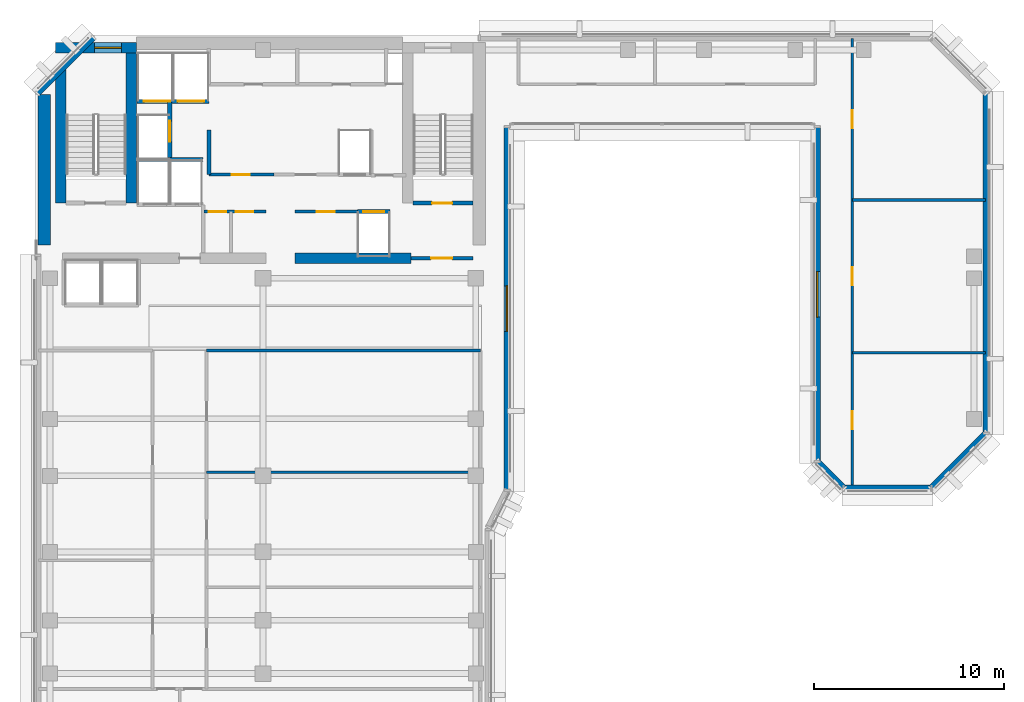
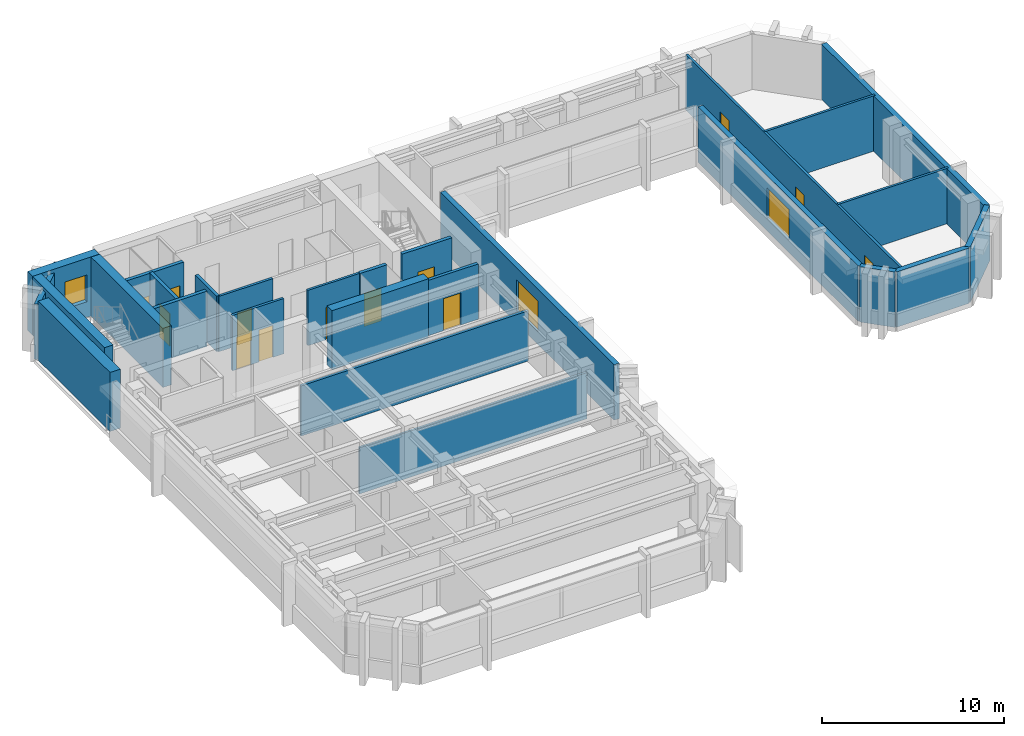
# One storey, part 6 of 11: 27 walls, 13 doors, 3 windows, 16 openings.
"""IFC4 building model written with IfcOpenShell, lengths in metres."""

from ifc_helpers import new_model, si_unit, direction, frame, frame_2d, origin, place, context, subcontext, project, spatial, rectangle, extrude, material, layer, layer_set, type_object, element, fill, save


model = new_model("IFC4")

# Units and contexts
model_context = context("Model", 3, precision=1e-05, world=origin(), true_north=direction((0.0, 1.0)))
body_context = subcontext(model_context, "Body", "Model", "MODEL_VIEW")
ifc_project = project(units=[si_unit("LENGTHUNIT", "METRE"), si_unit("AREAUNIT", "SQUARE_METRE"), si_unit("VOLUMEUNIT", "CUBIC_METRE"), si_unit("PLANEANGLEUNIT", "RADIAN"), si_unit("MASSUNIT", "GRAM", prefix="KILO")], contexts=[model_context])

# Site, building, storey
site_placement = place(None, origin())
site = spatial("IfcSite", under=ifc_project, at=site_placement, CompositionType="ELEMENT")
building_placement = place(site_placement, origin())
building = spatial("IfcBuilding", under=site, at=building_placement, Name="Kefirva Bronze Tower", CompositionType="ELEMENT")
storey_placement = place(building_placement, frame((0.0, 0.0, 239.580078125)))
storey = spatial("IfcBuildingStorey", under=building, at=storey_placement, Name="L58", CompositionType="ELEMENT", Elevation=239.580078125)

# Wall
ifc_material_1 = material(Name="Gypsum acoustic partition")
ifc_layer_1 = layer(ifc_material_1, 0.1298828125, Name="Gypsum acoustic partition")
ifc_layer_set_1 = layer_set([ifc_layer_1], Name="Gypsum acoustic partition")
wall_type_1 = type_object("IfcWallType", Name="Acoustic Office Partition 130mm", PredefinedType="PARTITIONING", material=ifc_layer_set_1)
wall_1_placement = place(storey_placement, frame((9.0400390625, 22.991943359375, 0.0), z_axis=(0.0, 0.0, 1.0), x_axis=(1.0, 0.0, 0.0)))
element("IfcWall", 1, at=wall_1_placement, inside=storey, type_object=wall_type_1, Name="L58 Partition W-L58-SED2", PredefinedType="PARTITIONING", context=body_context, shape_type="SweptSolid", body=[
    extrude(rectangle(XDim=14.409912109375, YDim=0.1298828125, at=frame_2d((7.205078125, 0.0))), origin(), (0.0, 0.0, 1.0), 3.094970703125),
])

# Wall, opening, door
ifc_layer_2 = layer(ifc_material_1, 0.14990234375, Name="Gypsum acoustic partition")
ifc_layer_set_2 = layer_set([ifc_layer_2], Name="Gypsum acoustic partition")
wall_type_2 = type_object("IfcWallType", Name="Executive Suite Partition 150mm", PredefinedType="PARTITIONING", material=ifc_layer_set_2)
wall_2_placement = place(storey_placement, frame((13.679931640625, 36.699951171875, 0.0), z_axis=(0.0, 0.0, 1.0), x_axis=(1.0, 0.0, 0.0)))
wall_2 = element("IfcWall", 2, at=wall_2_placement, inside=storey, type_object=wall_type_2, Name="L58 Partition W-L58-RECMP1", PredefinedType="PARTITIONING", context=body_context, shape_type="SweptSolid", body=[
    extrude(rectangle(XDim=3.280029296875, YDim=0.14990234375, at=frame_2d((1.64013671875, 0.0))), origin(), (0.0, 0.0, 1.0), 3.7099609375),
])
opening_1_placement = place(wall_2_placement, frame((1.14990234375, 0.0, 0.0)))
opening_1 = element("IfcOpeningElement", 3, at=opening_1_placement, cuts=wall_2, Name="Opening L58-D-RECMP1", PredefinedType="OPENING", context=body_context, shape_type="SweptSolid", body=[
    extrude(rectangle(XDim=0.949951171875, YDim=2.14990234375, at=frame_2d((0.47509765625, 1.074951171875))), frame((0.0, 0.0849609375, 0.0), z_axis=(0.0, -1.0, 0.0), x_axis=(1.0, 0.0, 0.0)), (0.0, 0.0, 1.0), 0.169921875),
])
ifc_material_2 = material(Name="Acoustic hardwood oak", Category="wood")
door_type_1 = type_object("IfcDoorType", Name="Office & Meeting Room Door 950x2150", OperationType="NOTDEFINED", PredefinedType="DOOR", material=ifc_material_2)
door_1_placement = place(opening_1_placement, origin())
door_1 = element("IfcDoor", 4, at=door_1_placement, inside=storey, type_object=door_type_1, Name="Door L58-D-RECMP1", OperationType="SINGLE_SWING_RIGHT", OverallHeight=2.14990234375, OverallWidth=0.949951171875, PredefinedType="DOOR", context=body_context, shape_type="SweptSolid", body=[
    extrude(rectangle(XDim=0.949951171875, YDim=2.14990234375, at=frame_2d((0.47509765625, 1.074951171875))), frame((0.0, 0.02490234375, 0.0), z_axis=(0.0, -1.0, 0.0), x_axis=(1.0, 0.0, 0.0)), (0.0, 0.0, 1.0), 0.050048828125),
])
fill(opening_1, door_1)

# Wall, openings, doors
wall_3_placement = place(storey_placement, frame((43.0, 22.18994140625, 0.0), z_axis=(0.0, 0.0, 1.0), x_axis=(0.0, 1.0, 0.0)))
wall_3 = element("IfcWall", 5, at=wall_3_placement, inside=storey, type_object=wall_type_2, Name="L58 Partition W-L58-PVEST", PredefinedType="PARTITIONING", context=body_context, shape_type="SweptSolid", body=[
    extrude(rectangle(XDim=23.6201171875, YDim=0.14990234375, at=frame_2d((11.81005859375, 0.0))), origin(), (0.0, 0.0, 1.0), 3.7099609375),
])
opening_2_placement = place(wall_3_placement, frame((3.068115234375, 0.0, 0.0)))
opening_2 = element("IfcOpeningElement", 6, at=opening_2_placement, cuts=wall_3, Name="Opening L58-D-EPV1", PredefinedType="OPENING", context=body_context, shape_type="SweptSolid", body=[
    extrude(rectangle(XDim=0.949951171875, YDim=2.14990234375, at=frame_2d((0.47509765625, 1.074951171875))), frame((0.0, 0.0849609375, 0.0), z_axis=(0.0, -1.0, 0.0), x_axis=(1.0, 0.0, 0.0)), (0.0, 0.0, 1.0), 0.169921875),
])
opening_3_placement = place(wall_3_placement, frame((10.62646484375, 0.0, 0.0)))
opening_3 = element("IfcOpeningElement", 7, at=opening_3_placement, cuts=wall_3, Name="Opening L58-D-EPV2", PredefinedType="OPENING", context=body_context, shape_type="SweptSolid", body=[
    extrude(rectangle(XDim=0.949951171875, YDim=2.14990234375, at=frame_2d((0.47509765625, 1.074951171875))), frame((0.0, 0.0849609375, 0.0), z_axis=(0.0, -1.0, 0.0), x_axis=(1.0, 0.0, 0.0)), (0.0, 0.0, 1.0), 0.169921875),
])
opening_4_placement = place(wall_3_placement, frame((18.893310546875, 0.0, 0.0)))
opening_4 = element("IfcOpeningElement", 8, at=opening_4_placement, cuts=wall_3, Name="Opening L58-D-EPV3", PredefinedType="OPENING", context=body_context, shape_type="SweptSolid", body=[
    extrude(rectangle(XDim=0.949951171875, YDim=2.14990234375, at=frame_2d((0.47509765625, 1.074951171875))), frame((0.0, 0.0849609375, 0.0), z_axis=(0.0, -1.0, 0.0), x_axis=(1.0, 0.0, 0.0)), (0.0, 0.0, 1.0), 0.169921875),
])
door_2_placement = place(opening_2_placement, origin())
door_2 = element("IfcDoor", 9, at=door_2_placement, inside=storey, type_object=door_type_1, Name="Door L58-D-EPV1", OperationType="SINGLE_SWING_LEFT", OverallHeight=2.14990234375, OverallWidth=0.949951171875, PredefinedType="DOOR", context=body_context, shape_type="SweptSolid", body=[
    extrude(rectangle(XDim=0.949951171875, YDim=2.14990234375, at=frame_2d((0.47509765625, 1.074951171875))), frame((0.0, 0.02490234375, 0.0), z_axis=(0.0, -1.0, 0.0), x_axis=(1.0, 0.0, 0.0)), (0.0, 0.0, 1.0), 0.050048828125),
])
fill(opening_2, door_2)
door_3_placement = place(opening_3_placement, origin())
door_3 = element("IfcDoor", 10, at=door_3_placement, inside=storey, type_object=door_type_1, Name="Door L58-D-EPV2", OperationType="SINGLE_SWING_RIGHT", OverallHeight=2.14990234375, OverallWidth=0.949951171875, PredefinedType="DOOR", context=body_context, shape_type="SweptSolid", body=[
    extrude(rectangle(XDim=0.949951171875, YDim=2.14990234375, at=frame_2d((0.47509765625, 1.074951171875))), frame((0.0, 0.02490234375, 0.0), z_axis=(0.0, -1.0, 0.0), x_axis=(1.0, 0.0, 0.0)), (0.0, 0.0, 1.0), 0.050048828125),
])
fill(opening_3, door_3)
door_4_placement = place(opening_4_placement, origin())
door_4 = element("IfcDoor", 11, at=door_4_placement, inside=storey, type_object=door_type_1, Name="Door L58-D-EPV3", OperationType="SINGLE_SWING_LEFT", OverallHeight=2.14990234375, OverallWidth=0.949951171875, PredefinedType="DOOR", context=body_context, shape_type="SweptSolid", body=[
    extrude(rectangle(XDim=0.949951171875, YDim=2.14990234375, at=frame_2d((0.47509765625, 1.074951171875))), frame((0.0, 0.02490234375, 0.0), z_axis=(0.0, -1.0, 0.0), x_axis=(1.0, 0.0, 0.0)), (0.0, 0.0, 1.0), 0.050048828125),
])
fill(opening_4, door_4)

# Walls
for number, where, z_axis, x_axis, name in (
    (12, (43.0, 29.27587890625, 0.0), (0.0, 0.0, 1.0), (1.0, 0.0, 0.0), "L58 Partition W-L58-EPVD1"),
    (13, (43.0, 37.306884765625, 0.0), (0.0, 0.0, 1.0), (1.0, 0.0, 0.0), "L58 Partition W-L58-EPVD2"),
):
    element("IfcWall", number, at=place(storey_placement, frame(where, z_axis=z_axis, x_axis=x_axis)), inside=storey, type_object=wall_type_2, Name=name, PredefinedType="PARTITIONING", context=body_context, shape_type="SweptSolid", body=[
        extrude(rectangle(XDim=7.010009765625, YDim=0.14990234375, at=frame_2d((3.5048828125, 0.0))), origin(), (0.0, 0.0, 1.0), 3.7099609375),
    ])

# Wall, opening, door
ifc_material_3 = material(Name="Gypsum fireboard shaftwall")
ifc_layer_3 = layer(ifc_material_3, 0.219970703125, Name="Gypsum fireboard shaftwall")
ifc_layer_set_3 = layer_set([ifc_layer_3], Name="Gypsum fireboard shaftwall")
wall_type_3 = type_object("IfcWallType", Name="Fire-Rated Shaft Enclosure Wall 220mm", PredefinedType="PARTITIONING", material=ifc_layer_set_3)
wall_4_placement = place(storey_placement, frame((19.89990234375, 37.14990234375, 0.0), z_axis=(0.0, 0.0, 1.0), x_axis=(1.0, 0.0, 0.0)))
wall_4 = element("IfcWall", 14, at=wall_4_placement, inside=storey, type_object=wall_type_3, Name="L58 Partition W-L58-ST2S", PredefinedType="PARTITIONING", context=body_context, shape_type="SweptSolid", body=[
    extrude(rectangle(XDim=3.150146484375, YDim=0.219970703125, at=frame_2d((1.5751953125, 0.0))), origin(), (0.0, 0.0, 1.0), 3.7099609375),
])
opening_5_placement = place(wall_4_placement, frame((2.050048828125, 0.0, 0.0), z_axis=(0.0, 0.0, 1.0), x_axis=(-1.0, 0.0, 0.0)))
opening_5 = element("IfcOpeningElement", 15, at=opening_5_placement, cuts=wall_4, Name="Opening L58-D003", PredefinedType="OPENING", context=body_context, shape_type="SweptSolid", body=[
    extrude(rectangle(XDim=1.050048828125, YDim=2.14990234375, at=frame_2d((0.52490234375, 1.074951171875))), frame((0.0, 0.1201171875, 0.0), z_axis=(0.0, -1.0, 0.0), x_axis=(1.0, 0.0, 0.0)), (0.0, 0.0, 1.0), 0.239990234375),
])
ifc_material_4 = material(Name="Painted galvanized steel", Category="steel")
door_type_2 = type_object("IfcDoorType", Name="Fire Stair Enclosure Door 1050x2150 FD90S", OperationType="NOTDEFINED", PredefinedType="DOOR", material=ifc_material_4)
door_5_placement = place(opening_5_placement, origin())
door_5 = element("IfcDoor", 16, at=door_5_placement, inside=storey, type_object=door_type_2, Name="Door L58-D003", OperationType="SINGLE_SWING_RIGHT", OverallHeight=2.14990234375, OverallWidth=1.050048828125, PredefinedType="DOOR", context=body_context, shape_type="SweptSolid", body=[
    extrude(rectangle(XDim=1.050048828125, YDim=2.14990234375, at=frame_2d((0.52490234375, 1.074951171875))), frame((0.0, 0.02490234375, 0.0), z_axis=(0.0, -1.0, 0.0), x_axis=(1.0, 0.0, 0.0)), (0.0, 0.0, 1.0), 0.050048828125),
])
fill(opening_5, door_5)

# Wall
wall_5_placement = place(storey_placement, frame((5.3798828125, 39.449951171875, 0.0), z_axis=(0.0, 0.0, 1.0), x_axis=(1.0, 0.0, 0.0)))
element("IfcWall", 17, at=wall_5_placement, inside=storey, type_object=wall_type_3, Name="L58 Partition W-L58-FFN", PredefinedType="PARTITIONING", context=body_context, shape_type="SweptSolid", body=[
    extrude(rectangle(XDim=3.460205078125, YDim=0.219970703125, at=frame_2d((1.72998046875, 0.0))), origin(), (0.0, 0.0, 1.0), 3.7099609375),
])

# Wall, openings, doors
wall_6_placement = place(storey_placement, frame((5.3798828125, 42.5, 0.0), z_axis=(0.0, 0.0, 1.0), x_axis=(1.0, 0.0, 0.0)))
wall_6 = element("IfcWall", 18, at=wall_6_placement, inside=storey, type_object=wall_type_3, Name="L58 Partition W-L58-SVS", PredefinedType="PARTITIONING", context=body_context, shape_type="SweptSolid", body=[
    extrude(rectangle(XDim=3.77001953125, YDim=0.219970703125, at=frame_2d((1.885009765625, 0.0))), origin(), (0.0, 0.0, 1.0), 3.7099609375),
])
opening_6_placement = place(wall_6_placement, frame((1.75, 0.0, 0.0), z_axis=(0.0, 0.0, 1.0), x_axis=(-1.0, 0.0, 0.0)))
opening_6 = element("IfcOpeningElement", 19, at=opening_6_placement, cuts=wall_6, Name="Opening L58-LD-SV1", PredefinedType="OPENING", context=body_context, shape_type="SweptSolid", body=[
    extrude(rectangle(XDim=1.39990234375, YDim=2.199951171875, at=frame_2d((0.699951171875, 1.10009765625))), frame((0.0, 0.1201171875, 0.0), z_axis=(0.0, -1.0, 0.0), x_axis=(1.0, 0.0, 0.0)), (0.0, 0.0, 1.0), 0.239990234375),
])
opening_7_placement = place(wall_6_placement, frame((3.52978515625, 0.0, 0.0), z_axis=(0.0, 0.0, 1.0), x_axis=(-1.0, 0.0, 0.0)))
opening_7 = element("IfcOpeningElement", 20, at=opening_7_placement, cuts=wall_6, Name="Opening L58-LD-SV2", PredefinedType="OPENING", context=body_context, shape_type="SweptSolid", body=[
    extrude(rectangle(XDim=1.39990234375, YDim=2.199951171875, at=frame_2d((0.699951171875, 1.10009765625))), frame((0.0, 0.1201171875, 0.0), z_axis=(0.0, -1.0, 0.0), x_axis=(1.0, 0.0, 0.0)), (0.0, 0.0, 1.0), 0.239990234375),
])
ifc_material_5 = material(Name="Stainless steel 316", Category="steel")
door_type_3 = type_object("IfcDoorType", Name="Goods Lift Bi-Parting Sliding Door 1400x2200", OperationType="SLIDING_TO_LEFT", PredefinedType="DOOR", material=ifc_material_5)
door_6_placement = place(opening_6_placement, origin())
door_6 = element("IfcDoor", 21, at=door_6_placement, inside=storey, type_object=door_type_3, Name="Door L58-LD-SV1", OperationType="SLIDING_TO_LEFT", OverallHeight=2.199951171875, OverallWidth=1.39990234375, PredefinedType="DOOR", context=body_context, shape_type="SweptSolid", body=[
    extrude(rectangle(XDim=1.39990234375, YDim=2.199951171875, at=frame_2d((0.699951171875, 1.10009765625))), frame((0.0, 0.02490234375, 0.0), z_axis=(0.0, -1.0, 0.0), x_axis=(1.0, 0.0, 0.0)), (0.0, 0.0, 1.0), 0.050048828125),
])
fill(opening_6, door_6)
door_7_placement = place(opening_7_placement, origin())
door_7 = element("IfcDoor", 22, at=door_7_placement, inside=storey, type_object=door_type_3, Name="Door L58-LD-SV2", OperationType="SLIDING_TO_LEFT", OverallHeight=2.199951171875, OverallWidth=1.39990234375, PredefinedType="DOOR", context=body_context, shape_type="SweptSolid", body=[
    extrude(rectangle(XDim=1.39990234375, YDim=2.199951171875, at=frame_2d((0.699951171875, 1.10009765625))), frame((0.0, 0.02490234375, 0.0), z_axis=(0.0, -1.0, 0.0), x_axis=(1.0, 0.0, 0.0)), (0.0, 0.0, 1.0), 0.050048828125),
])
fill(opening_7, door_7)

# Wall, opening, door
wall_7_placement = place(storey_placement, frame((7.10009765625, 39.52001953125, 0.0), z_axis=(0.0, 0.0, 1.0), x_axis=(0.0, 1.0, 0.0)))
wall_7 = element("IfcWall", 23, at=wall_7_placement, inside=storey, type_object=wall_type_3, Name="L58 Partition W-L58-HP3E", PredefinedType="PARTITIONING", context=body_context, shape_type="SweptSolid", body=[
    extrude(rectangle(XDim=2.929931640625, YDim=0.219970703125, at=frame_2d((1.46484375, 0.0))), origin(), (0.0, 0.0, 1.0), 3.7099609375),
])
opening_8_placement = place(wall_7_placement, frame((0.85009765625, 0.0, 0.0)))
opening_8 = element("IfcOpeningElement", 24, at=opening_8_placement, cuts=wall_7, Name="Opening L58-LD-HP3", PredefinedType="OPENING", context=body_context, shape_type="SweptSolid", body=[
    extrude(rectangle(XDim=1.10009765625, YDim=2.199951171875, at=frame_2d((0.550048828125, 1.10009765625))), frame((0.0, 0.1201171875, 0.0), z_axis=(0.0, -1.0, 0.0), x_axis=(1.0, 0.0, 0.0)), (0.0, 0.0, 1.0), 0.239990234375),
])
door_type_4 = type_object("IfcDoorType", Name="Passenger Lift Sliding Landing Door 1100x2200", OperationType="SLIDING_TO_LEFT", PredefinedType="DOOR", material=ifc_material_5)
door_8_placement = place(opening_8_placement, origin())
door_8 = element("IfcDoor", 25, at=door_8_placement, inside=storey, type_object=door_type_4, Name="Door L58-LD-HP3", OperationType="SLIDING_TO_LEFT", OverallHeight=2.199951171875, OverallWidth=1.10009765625, PredefinedType="DOOR", context=body_context, shape_type="SweptSolid", body=[
    extrude(rectangle(XDim=1.10009765625, YDim=2.199951171875, at=frame_2d((0.550048828125, 1.10009765625))), frame((0.0, 0.02490234375, 0.0), z_axis=(0.0, -1.0, 0.0), x_axis=(1.0, 0.0, 0.0)), (0.0, 0.0, 1.0), 0.050048828125),
])
fill(opening_8, door_8)

# Wall
wall_8_placement = place(storey_placement, frame((9.159912109375, 38.64990234375, 0.0), z_axis=(0.0, 0.0, 1.0), x_axis=(0.0, 1.0, 0.0)))
element("IfcWall", 26, at=wall_8_placement, inside=storey, type_object=wall_type_3, Name="L58 Partition W-L58-LP3W", PredefinedType="PARTITIONING", context=body_context, shape_type="SweptSolid", body=[
    extrude(rectangle(XDim=2.35009765625, YDim=0.199951171875, at=frame_2d((1.175048828125, 0.0))), origin(), (0.0, 0.0, 1.0), 3.7099609375),
])

# Wall, opening, door
wall_9_placement = place(storey_placement, frame((16.97998046875, 36.699951171875, 0.0), z_axis=(0.0, 0.0, 1.0), x_axis=(1.0, 0.0, 0.0)))
wall_9 = element("IfcWall", 27, at=wall_9_placement, inside=storey, type_object=wall_type_3, Name="L58 Partition W-L58-HPS", PredefinedType="PARTITIONING", context=body_context, shape_type="SweptSolid", body=[
    extrude(rectangle(XDim=1.699951171875, YDim=0.219970703125, at=frame_2d((0.85009765625, 0.0))), origin(), (0.0, 0.0, 1.0), 3.7099609375),
])
opening_9_placement = place(wall_9_placement, frame((0.300048828125, 0.0, 0.0)))
opening_9 = element("IfcOpeningElement", 28, at=opening_9_placement, cuts=wall_9, Name="Opening L58-LD-HP1", PredefinedType="OPENING", context=body_context, shape_type="SweptSolid", body=[
    extrude(rectangle(XDim=1.10009765625, YDim=2.199951171875, at=frame_2d((0.550048828125, 1.10009765625))), frame((0.0, 0.1201171875, 0.0), z_axis=(0.0, -1.0, 0.0), x_axis=(1.0, 0.0, 0.0)), (0.0, 0.0, 1.0), 0.239990234375),
])
door_9_placement = place(opening_9_placement, origin())
door_9 = element("IfcDoor", 29, at=door_9_placement, inside=storey, type_object=door_type_4, Name="Door L58-LD-HP1", OperationType="SLIDING_TO_LEFT", OverallHeight=2.199951171875, OverallWidth=1.10009765625, PredefinedType="DOOR", context=body_context, shape_type="SweptSolid", body=[
    extrude(rectangle(XDim=1.10009765625, YDim=2.199951171875, at=frame_2d((0.550048828125, 1.10009765625))), frame((0.0, 0.02490234375, 0.0), z_axis=(0.0, -1.0, 0.0), x_axis=(1.0, 0.0, 0.0)), (0.0, 0.0, 1.0), 0.050048828125),
])
fill(opening_9, door_9)

ifc_material_6 = material(Name="Gypsum fireboard barrier")
ifc_layer_4 = layer(ifc_material_6, 0.199951171875, Name="Gypsum fireboard barrier")
ifc_layer_set_4 = layer_set([ifc_layer_4], Name="Gypsum fireboard barrier")
wall_type_4 = type_object("IfcWallType", Name="Firefighting Lobby Barrier Wall 200mm", PredefinedType="PARTITIONING", material=ifc_layer_set_4)
wall_10_placement = place(storey_placement, frame((19.800048828125, 34.25, 0.0), z_axis=(0.0, 0.0, 1.0), x_axis=(1.0, 0.0, 0.0)))
wall_10 = element("IfcWall", 30, at=wall_10_placement, inside=storey, type_object=wall_type_4, Name="L58 Partition W-L58-ST2F", PredefinedType="PARTITIONING", context=body_context, shape_type="SweptSolid", body=[
    extrude(rectangle(XDim=3.25, YDim=0.199951171875, at=frame_2d((1.625, 0.0))), origin(), (0.0, 0.0, 1.0), 3.7099609375),
])
opening_10_placement = place(wall_10_placement, frame((2.150146484375, 0.0, 0.0), z_axis=(0.0, 0.0, 1.0), x_axis=(-1.0, 0.0, 0.0)))
opening_10 = element("IfcOpeningElement", 31, at=opening_10_placement, cuts=wall_10, Name="Opening L58-D004", PredefinedType="OPENING", context=body_context, shape_type="SweptSolid", body=[
    extrude(rectangle(XDim=1.10009765625, YDim=2.14990234375, at=frame_2d((0.550048828125, 1.074951171875))), frame((0.0, 0.10986328125, 0.0), z_axis=(0.0, -1.0, 0.0), x_axis=(1.0, 0.0, 0.0)), (0.0, 0.0, 1.0), 0.219970703125),
])
door_type_5 = type_object("IfcDoorType", Name="Firefighting Lobby Smoke Door 1100x2150 FD60S", OperationType="NOTDEFINED", PredefinedType="DOOR", material=ifc_material_4)
door_10_placement = place(opening_10_placement, origin())
door_10 = element("IfcDoor", 32, at=door_10_placement, inside=storey, type_object=door_type_5, Name="Door L58-D004", OperationType="SINGLE_SWING_LEFT", OverallHeight=2.14990234375, OverallWidth=1.10009765625, PredefinedType="DOOR", context=body_context, shape_type="SweptSolid", body=[
    extrude(rectangle(XDim=1.10009765625, YDim=2.14990234375, at=frame_2d((0.550048828125, 1.074951171875))), frame((0.0, 0.02490234375, 0.0), z_axis=(0.0, -1.0, 0.0), x_axis=(1.0, 0.0, 0.0)), (0.0, 0.0, 1.0), 0.050048828125),
])
fill(opening_10, door_10)

# Wall, opening, window
ifc_material_7 = material(Name="Precast concrete C40/50", Category="concrete")
ifc_layer_5 = layer(ifc_material_7, 0.320068359375, Name="Precast concrete C40/50")
ifc_layer_set_5 = layer_set([ifc_layer_5], Name="Precast concrete C40/50")
wall_type_5 = type_object("IfcWallType", Name="Precast Insulated Exterior Wall 320mm", PredefinedType="SOLIDWALL", material=ifc_layer_set_5)
wall_11_placement = place(storey_placement, frame((24.840087890625, 22.054931640625, 0.0), z_axis=(0.0, 0.0, 1.0), x_axis=(0.0, 1.0, 0.0)))
wall_11 = element("IfcWall", 33, at=wall_11_placement, inside=storey, type_object=wall_type_5, Name="L58 Exterior Facade Wall 4", PredefinedType="SOLIDWALL", context=body_context, shape_type="SweptSolid", body=[
    extrude(rectangle(XDim=19.090087890625, YDim=0.320068359375, at=frame_2d((9.544921875, 0.0))), origin(), (0.0, 0.0, 1.0), 3.7099609375),
])
opening_11_placement = place(wall_11_placement, frame((8.344970703125, 0.0, 0.85009765625)))
opening_11 = element("IfcOpeningElement", 34, at=opening_11_placement, cuts=wall_11, Name="Opening WN-01", PredefinedType="OPENING", context=body_context, shape_type="SweptSolid", body=[
    extrude(rectangle(XDim=2.39990234375, YDim=2.050048828125, at=frame_2d((1.199951171875, 1.02490234375))), frame((0.0, 0.169921875, 0.0), z_axis=(0.0, -1.0, 0.0), x_axis=(1.0, 0.0, 0.0)), (0.0, 0.0, 1.0), 0.340087890625),
])
ifc_material_8 = material(Name="Laminated low-E double glazing", Category="glass")
window_type_1 = type_object("IfcWindowType", Name="Streamline Ribbon Window 2400x2050", PartitioningType="SINGLE_PANEL", PredefinedType="WINDOW", material=ifc_material_8)
window_1_placement = place(opening_11_placement, origin())
window_1 = element("IfcWindow", 35, at=window_1_placement, inside=storey, type_object=window_type_1, Name="L58 Ribbon Window 4", OverallHeight=2.050048828125, OverallWidth=2.39990234375, PartitioningType="SINGLE_PANEL", PredefinedType="WINDOW", context=body_context, shape_type="SweptSolid", body=[
    extrude(rectangle(XDim=2.39990234375, YDim=2.050048828125, at=frame_2d((1.199951171875, 1.02490234375))), frame((0.0, 0.030029296875, 0.0), z_axis=(0.0, -1.0, 0.0), x_axis=(1.0, 0.0, 0.0)), (0.0, 0.0, 1.0), 0.06005859375),
])
fill(opening_11, window_1)

wall_12_placement = place(storey_placement, frame((41.159912109375, 41.14501953125, 0.0), z_axis=(0.0, 0.0, 1.0), x_axis=(0.0, -1.0, 0.0)))
wall_12 = element("IfcWall", 36, at=wall_12_placement, inside=storey, type_object=wall_type_5, Name="L58 Exterior Facade Wall 5", PredefinedType="SOLIDWALL", context=body_context, shape_type="SweptSolid", body=[
    extrude(rectangle(XDim=17.590087890625, YDim=0.320068359375, at=frame_2d((8.794921875, 0.0))), origin(), (0.0, 0.0, 1.0), 3.7099609375),
])
opening_12_placement = place(wall_12_placement, frame((7.594970703125, 0.0, 0.85009765625)))
opening_12 = element("IfcOpeningElement", 37, at=opening_12_placement, cuts=wall_12, Name="Opening WN-01", PredefinedType="OPENING", context=body_context, shape_type="SweptSolid", body=[
    extrude(rectangle(XDim=2.39990234375, YDim=2.050048828125, at=frame_2d((1.199951171875, 1.02490234375))), frame((0.0, 0.169921875, 0.0), z_axis=(0.0, -1.0, 0.0), x_axis=(1.0, 0.0, 0.0)), (0.0, 0.0, 1.0), 0.340087890625),
])
window_2_placement = place(opening_12_placement, origin())
window_2 = element("IfcWindow", 38, at=window_2_placement, inside=storey, type_object=window_type_1, Name="L58 Ribbon Window 5", OverallHeight=2.050048828125, OverallWidth=2.39990234375, PartitioningType="SINGLE_PANEL", PredefinedType="WINDOW", context=body_context, shape_type="SweptSolid", body=[
    extrude(rectangle(XDim=2.39990234375, YDim=2.050048828125, at=frame_2d((1.199951171875, 1.02490234375))), frame((0.0, 0.030029296875, 0.0), z_axis=(0.0, -1.0, 0.0), x_axis=(1.0, 0.0, 0.0)), (0.0, 0.0, 1.0), 0.06005859375),
])
fill(opening_12, window_2)

# Walls
wall_13_placement = place(storey_placement, frame((41.152099609375, 23.57421875, 0.0), z_axis=(0.0, 0.0, 1.0), x_axis=(0.707106781187, -0.707106781187, 0.0)))
element("IfcWall", 39, at=wall_13_placement, inside=storey, type_object=wall_type_5, Name="L58 Exterior Facade Wall 6", PredefinedType="SOLIDWALL", context=body_context, shape_type="SweptSolid", body=[
    extrude(rectangle(XDim=2.01123046875, YDim=0.320068359375, at=frame_2d((1.005615234375, 0.0))), origin(), (0.0, 0.0, 1.0), 3.7099609375),
])
wall_14_placement = place(storey_placement, frame((42.554931640625, 22.159912109375, 0.0), z_axis=(0.0, 0.0, 1.0), x_axis=(1.0, 0.0, 0.0)))
element("IfcWall", 40, at=wall_14_placement, inside=storey, type_object=wall_type_5, Name="L58 Exterior Facade Wall 7", PredefinedType="SOLIDWALL", context=body_context, shape_type="SweptSolid", body=[
    extrude(rectangle(XDim=4.590087890625, YDim=0.320068359375, at=frame_2d((2.294921875, 0.0))), origin(), (0.0, 0.0, 1.0), 3.7099609375),
])
wall_15_placement = place(storey_placement, frame((47.125732421875, 22.152099609375, 0.0), z_axis=(0.0, 0.0, 1.0), x_axis=(0.707136318428, 0.707077242712, 0.0)))
element("IfcWall", 41, at=wall_15_placement, inside=storey, type_object=wall_type_5, Name="L58 Exterior Facade Wall 8", PredefinedType="SOLIDWALL", context=body_context, shape_type="SweptSolid", body=[
    extrude(rectangle(XDim=4.132568359375, YDim=0.320068359375, at=frame_2d((2.06640625, 0.0))), origin(), (0.0, 0.0, 1.0), 3.7099609375),
])
wall_16_placement = place(storey_placement, frame((50.0400390625, 25.054931640625, 0.0), z_axis=(0.0, 0.0, 1.0), x_axis=(0.0, 1.0, 0.0)))
element("IfcWall", 42, at=wall_16_placement, inside=storey, type_object=wall_type_5, Name="L58 Exterior Facade Wall 9", PredefinedType="SOLIDWALL", context=body_context, shape_type="SweptSolid", body=[
    extrude(rectangle(XDim=17.89013671875, YDim=0.320068359375, at=frame_2d((8.945068359375, 0.0))), origin(), (0.0, 0.0, 1.0), 3.7099609375),
])
wall_17_placement = place(storey_placement, frame((3.07421875, 45.847900390625, 0.0), z_axis=(0.0, 0.0, 1.0), x_axis=(-0.707106781187, -0.707106781187, 0.0)))
element("IfcWall", 43, at=wall_17_placement, inside=storey, type_object=wall_type_5, Name="L58 Exterior Facade Wall 12", PredefinedType="SOLIDWALL", context=body_context, shape_type="SweptSolid", body=[
    extrude(rectangle(XDim=4.132568359375, YDim=0.320068359375, at=frame_2d((2.06640625, 0.0))), origin(), (0.0, 0.0, 1.0), 3.7099609375),
])

# Wall, openings, doors
ifc_layer_6 = layer(ifc_material_1, 0.159912109375, Name="Gypsum acoustic partition")
ifc_layer_set_6 = layer_set([ifc_layer_6], Name="Gypsum acoustic partition")
wall_type_6 = type_object("IfcWallType", Name="Protected Corridor Partition 160mm", PredefinedType="PARTITIONING", material=ifc_layer_set_6)
wall_18_placement = place(storey_placement, frame((8.89990234375, 36.699951171875, 0.0), z_axis=(0.0, 0.0, 1.0), x_axis=(1.0, 0.0, 0.0)))
wall_18 = element("IfcWall", 44, at=wall_18_placement, inside=storey, type_object=wall_type_6, Name="L58 Partition W-L58-RECLP1", PredefinedType="PARTITIONING", context=body_context, shape_type="SweptSolid", body=[
    extrude(rectangle(XDim=3.25, YDim=0.159912109375, at=frame_2d((1.625, 0.0))), origin(), (0.0, 0.0, 1.0), 3.7099609375),
])
opening_13_placement = place(wall_18_placement, frame((0.260009765625, 0.0, 0.0)))
opening_13 = element("IfcOpeningElement", 45, at=opening_13_placement, cuts=wall_18, Name="Opening L58-D-RECLP1A", PredefinedType="OPENING", context=body_context, shape_type="SweptSolid", body=[
    extrude(rectangle(XDim=0.89990234375, YDim=2.14990234375, at=frame_2d((0.449951171875, 1.074951171875))), frame((0.0, 0.08984375, 0.0), z_axis=(0.0, -1.0, 0.0), x_axis=(1.0, 0.0, 0.0)), (0.0, 0.0, 1.0), 0.179931640625),
])
opening_14_placement = place(wall_18_placement, frame((1.679931640625, 0.0, 0.0)))
opening_14 = element("IfcOpeningElement", 46, at=opening_14_placement, cuts=wall_18, Name="Opening L58-D-RECLP1B", PredefinedType="OPENING", context=body_context, shape_type="SweptSolid", body=[
    extrude(rectangle(XDim=0.89990234375, YDim=2.14990234375, at=frame_2d((0.449951171875, 1.074951171875))), frame((0.0, 0.08984375, 0.0), z_axis=(0.0, -1.0, 0.0), x_axis=(1.0, 0.0, 0.0)), (0.0, 0.0, 1.0), 0.179931640625),
])
door_type_6 = type_object("IfcDoorType", Name="Core Archive & Server Fire Door 900x2150 FD60S", OperationType="NOTDEFINED", PredefinedType="DOOR", material=ifc_material_4)
door_11_placement = place(opening_13_placement, origin())
door_11 = element("IfcDoor", 47, at=door_11_placement, inside=storey, type_object=door_type_6, Name="Door L58-D-RECLP1A", OperationType="SINGLE_SWING_LEFT", OverallHeight=2.14990234375, OverallWidth=0.89990234375, PredefinedType="DOOR", context=body_context, shape_type="SweptSolid", body=[
    extrude(rectangle(XDim=0.89990234375, YDim=2.14990234375, at=frame_2d((0.449951171875, 1.074951171875))), frame((0.0, 0.02490234375, 0.0), z_axis=(0.0, -1.0, 0.0), x_axis=(1.0, 0.0, 0.0)), (0.0, 0.0, 1.0), 0.050048828125),
])
fill(opening_13, door_11)
door_12_placement = place(opening_14_placement, origin())
door_12 = element("IfcDoor", 48, at=door_12_placement, inside=storey, type_object=door_type_6, Name="Door L58-D-RECLP1B", OperationType="SINGLE_SWING_RIGHT", OverallHeight=2.14990234375, OverallWidth=0.89990234375, PredefinedType="DOOR", context=body_context, shape_type="SweptSolid", body=[
    extrude(rectangle(XDim=0.89990234375, YDim=2.14990234375, at=frame_2d((0.449951171875, 1.074951171875))), frame((0.0, 0.02490234375, 0.0), z_axis=(0.0, -1.0, 0.0), x_axis=(1.0, 0.0, 0.0)), (0.0, 0.0, 1.0), 0.050048828125),
])
fill(opening_14, door_12)

# Wall, opening, door
wall_19_placement = place(storey_placement, frame((9.159912109375, 38.64990234375, 0.0), z_axis=(0.0, 0.0, 1.0), x_axis=(1.0, 0.0, 0.0)))
wall_19 = element("IfcWall", 49, at=wall_19_placement, inside=storey, type_object=wall_type_6, Name="L58 Partition W-L58-RECLP2", PredefinedType="PARTITIONING", context=body_context, shape_type="SweptSolid", body=[
    extrude(rectangle(XDim=3.420166015625, YDim=0.159912109375, at=frame_2d((1.7099609375, 0.0))), origin(), (0.0, 0.0, 1.0), 3.7099609375),
])
opening_15_placement = place(wall_19_placement, frame((2.14990234375, 0.0, 0.0), z_axis=(0.0, 0.0, 1.0), x_axis=(-1.0, 0.0, 0.0)))
opening_15 = element("IfcOpeningElement", 50, at=opening_15_placement, cuts=wall_19, Name="Opening L58-D-RECLP2", PredefinedType="OPENING", context=body_context, shape_type="SweptSolid", body=[
    extrude(rectangle(XDim=0.949951171875, YDim=2.14990234375, at=frame_2d((0.47509765625, 1.074951171875))), frame((0.0, 0.08984375, 0.0), z_axis=(0.0, -1.0, 0.0), x_axis=(1.0, 0.0, 0.0)), (0.0, 0.0, 1.0), 0.179931640625),
])
door_13_placement = place(opening_15_placement, origin())
door_13 = element("IfcDoor", 51, at=door_13_placement, inside=storey, type_object=door_type_1, Name="Door L58-D-RECLP2", OperationType="SINGLE_SWING_LEFT", OverallHeight=2.14990234375, OverallWidth=0.949951171875, PredefinedType="DOOR", context=body_context, shape_type="SweptSolid", body=[
    extrude(rectangle(XDim=0.949951171875, YDim=2.14990234375, at=frame_2d((0.47509765625, 1.074951171875))), frame((0.0, 0.02490234375, 0.0), z_axis=(0.0, -1.0, 0.0), x_axis=(1.0, 0.0, 0.0)), (0.0, 0.0, 1.0), 0.050048828125),
])
fill(opening_15, door_13)

# Wall
wall_20_placement = place(storey_placement, frame((9.0400390625, 29.39990234375, 0.0), z_axis=(0.0, 0.0, 1.0), x_axis=(1.0, 0.0, 0.0)))
element("IfcWall", 52, at=wall_20_placement, inside=storey, type_object=wall_type_6, Name="L58 Partition W-L58-NET", PredefinedType="PARTITIONING", context=body_context, shape_type="SweptSolid", body=[
    extrude(rectangle(XDim=14.409912109375, YDim=0.159912109375, at=frame_2d((7.205078125, 0.0))), origin(), (0.0, 0.0, 1.0), 3.364990234375),
])

# Wall, opening, window
ifc_material_9 = material(Name="Concrete C50/60", Category="concrete")
ifc_layer_7 = layer(ifc_material_9, 0.550048828125, Name="Concrete C50/60")
ifc_layer_set_7 = layer_set([ifc_layer_7], Name="Concrete C50/60")
wall_type_7 = type_object("IfcWallType", Name="RC Rear Core Exterior Wall 550mm", PredefinedType="SHEAR", material=ifc_layer_set_7)
wall_21_placement = place(storey_placement, frame((1.10009765625, 45.320068359375, 0.0), z_axis=(0.0, 0.0, 1.0), x_axis=(1.0, 0.0, 0.0)))
wall_21 = element("IfcWall", 53, at=wall_21_placement, inside=storey, type_object=wall_type_7, Name="L58 Stair 1 North Shear Wall", PredefinedType="SHEAR", context=body_context, shape_type="SweptSolid", body=[
    extrude(rectangle(XDim=4.239990234375, YDim=0.550048828125, at=frame_2d((2.1201171875, 0.0))), origin(), (0.0, 0.0, 1.0), 3.9599609375),
])
opening_16_placement = place(wall_21_placement, frame((2.050048828125, 0.0, 1.050048828125)))
opening_16 = element("IfcOpeningElement", 54, at=opening_16_placement, cuts=wall_21, Name="Opening WN-03", PredefinedType="OPENING", context=body_context, shape_type="SweptSolid", body=[
    extrude(rectangle(XDim=1.39990234375, YDim=1.800048828125, at=frame_2d((0.699951171875, 0.89990234375))), frame((0.0, 0.28515625, 0.0), z_axis=(0.0, -1.0, 0.0), x_axis=(1.0, 0.0, 0.0)), (0.0, 0.0, 1.0), 0.570068359375),
])
window_type_2 = type_object("IfcWindowType", Name="Rear-Core Stair Daylight Window 1400x1800", PartitioningType="SINGLE_PANEL", PredefinedType="WINDOW", material=ifc_material_8)
window_3_placement = place(opening_16_placement, origin())
window_3 = element("IfcWindow", 55, at=window_3_placement, inside=storey, type_object=window_type_2, Name="L58 Stair 1 Daylight Window", OverallHeight=1.800048828125, OverallWidth=1.39990234375, PartitioningType="SINGLE_PANEL", PredefinedType="WINDOW", context=body_context, shape_type="SweptSolid", body=[
    extrude(rectangle(XDim=1.39990234375, YDim=1.800048828125, at=frame_2d((0.699951171875, 0.89990234375))), frame((0.0, 0.030029296875, 0.0), z_axis=(0.0, -1.0, 0.0), x_axis=(1.0, 0.0, 0.0)), (0.0, 0.0, 1.0), 0.06005859375),
])
fill(opening_16, window_3)

# Walls
ifc_layer_8 = layer(ifc_material_9, 0.64990234375, Name="Concrete C50/60")
ifc_layer_set_8 = layer_set([ifc_layer_8], Name="Concrete C50/60")
wall_type_8 = type_object("IfcWallType", Name="RC Rear Core Exterior Wall 650mm", PredefinedType="SHEAR", material=ifc_layer_set_8)
wall_22_placement = place(storey_placement, frame((0.5, 34.949951171875, 0.0), z_axis=(0.0, 0.0, 1.0), x_axis=(0.0, 1.0, 0.0)))
element("IfcWall", 56, at=wall_22_placement, inside=storey, type_object=wall_type_8, Name="L58 Rear Core West Shear Wall", PredefinedType="SHEAR", context=body_context, shape_type="SweptSolid", body=[
    extrude(rectangle(XDim=7.900146484375, YDim=0.64990234375, at=frame_2d((3.9501953125, 0.0))), origin(), (0.0, 0.0, 1.0), 3.9599609375),
])
ifc_layer_9 = layer(ifc_material_9, 0.550048828125, Name="Concrete C50/60")
ifc_layer_set_9 = layer_set([ifc_layer_9], Name="Concrete C50/60")
wall_type_9 = type_object("IfcWallType", Name="RC Rear Core Interior Wall 550mm", PredefinedType="SHEAR", material=ifc_layer_set_9)
for number, where, z_axis, x_axis, name in (
    (57, (1.3701171875, 37.14990234375, 0.0), (0.0, 0.0, 1.0), (0.0, 1.0, 0.0), "L58 Stair 1 West Shear Wall"),
    (58, (5.070068359375, 37.14990234375, 0.0), (0.0, 0.0, 1.0), (0.0, 1.0, 0.0), "L58 Stair 1 East Shear Wall"),
):
    element("IfcWall", number, at=place(storey_placement, frame(where, z_axis=z_axis, x_axis=x_axis)), inside=storey, type_object=wall_type_9, Name=name, PredefinedType="SHEAR", context=body_context, shape_type="SweptSolid", body=[
        extrude(rectangle(XDim=7.89013671875, YDim=0.550048828125, at=frame_2d((3.945068359375, 0.0))), origin(), (0.0, 0.0, 1.0), 3.9599609375),
    ])
ifc_layer_10 = layer(ifc_material_9, 0.64990234375, Name="Concrete C50/60")
ifc_layer_set_10 = layer_set([ifc_layer_10], Name="Concrete C50/60")
wall_type_10 = type_object("IfcWallType", Name="RC Rear Core Interior Wall 650mm", PredefinedType="SHEAR", material=ifc_layer_set_10)
wall_23_placement = place(storey_placement, frame((13.679931640625, 34.25, 0.0), z_axis=(0.0, 0.0, 1.0), x_axis=(1.0, 0.0, 0.0)))
element("IfcWall", 59, at=wall_23_placement, inside=storey, type_object=wall_type_10, Name="L58 Rear Core South-East Shear Wall", PredefinedType="SHEAR", context=body_context, shape_type="SweptSolid", body=[
    extrude(rectangle(XDim=6.1201171875, YDim=0.550048828125, at=frame_2d((3.06005859375, 0.0))), origin(), (0.0, 0.0, 1.0), 3.9599609375),
])

save(model, "model.ifc")
